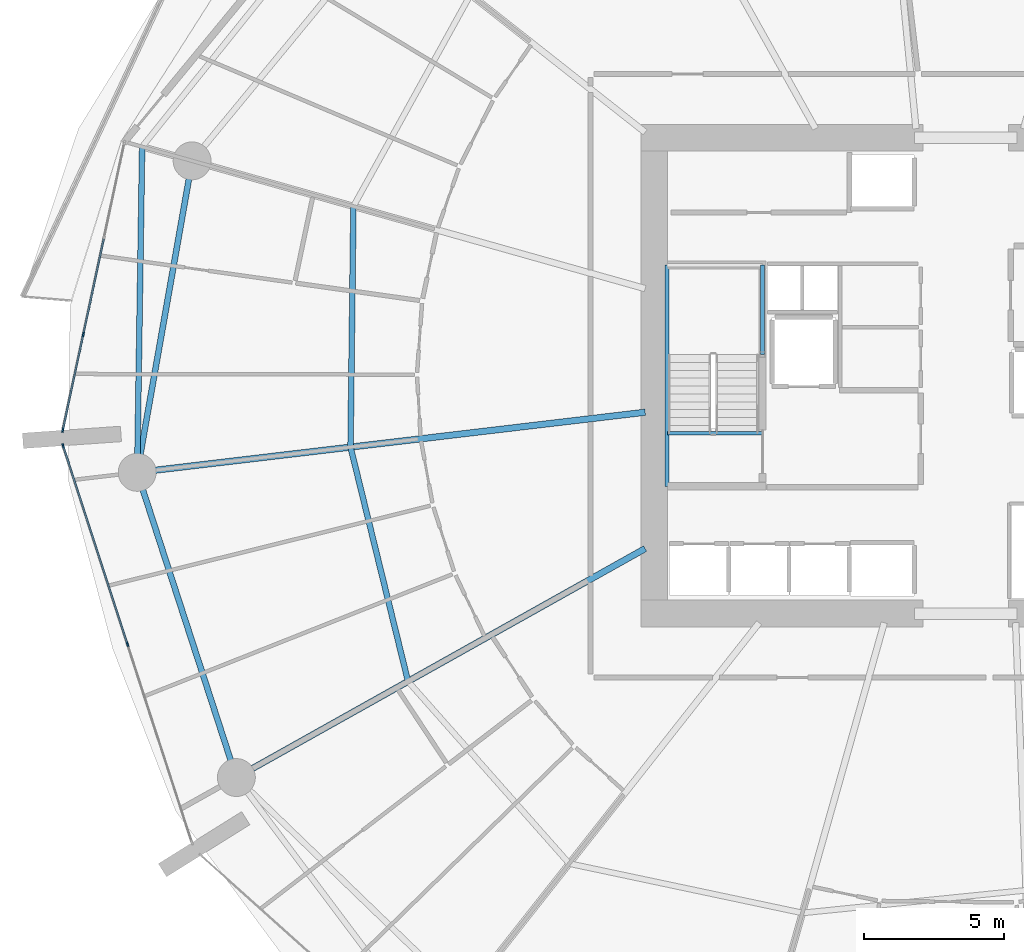
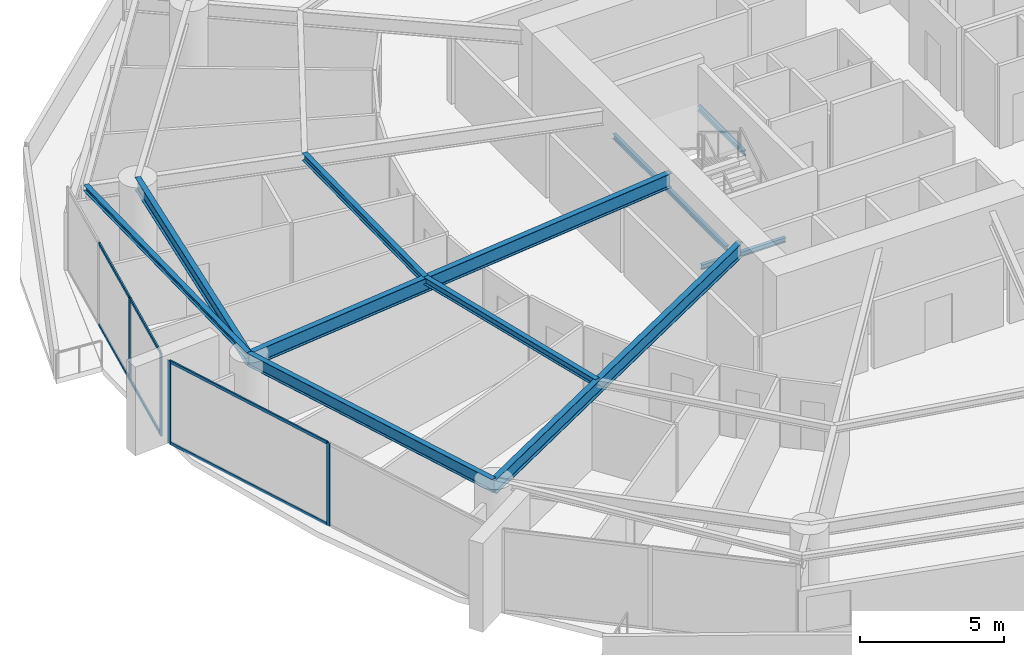
# One storey, part 8 of 31: 10 beams, 10 members, 2 elements without a shape of their own.
"""IFC4 building model written with IfcOpenShell, lengths in metres."""

from ifc_helpers import new_model, si_unit, direction, frame, origin, origin_2d, place, context, subcontext, project, spatial, rectangle, i_section, extrude, material, layer, layer_set, material_profile, profile_set, type_object, element, aggregate, save


model = new_model("IFC4")

# Units and contexts
model_context = context("Model", 3, precision=1e-05, world=origin(), true_north=direction((0.0, 1.0)))
body_context = subcontext(model_context, "Body", "Model", "MODEL_VIEW")
ifc_project = project(units=[si_unit("LENGTHUNIT", "METRE"), si_unit("AREAUNIT", "SQUARE_METRE"), si_unit("VOLUMEUNIT", "CUBIC_METRE"), si_unit("PLANEANGLEUNIT", "RADIAN"), si_unit("MASSUNIT", "GRAM", prefix="KILO")], contexts=[model_context])

# Site, building, storey
site_placement = place(None, origin())
site = spatial("IfcSite", under=ifc_project, at=site_placement, CompositionType="ELEMENT")
building_placement = place(site_placement, origin())
building = spatial("IfcBuilding", under=site, at=building_placement, Name="Kazma Halo Residences", CompositionType="ELEMENT")
storey_placement = place(building_placement, frame((0.0, 0.0, 60.14990234375)))
storey = spatial("IfcBuildingStorey", under=building, at=storey_placement, Name="L14", CompositionType="ELEMENT", Elevation=60.14990234375)

# Beams
ifc_material_1 = material(Name="Steel S355", Category="steel")
ifc_material_profile_1 = material_profile(ifc_material_1, i_section(OverallWidth=0.201904296875, OverallDepth=0.2470703125, WebThickness=0.00732421875, FlangeThickness=0.010986328125, FilletRadius=0.011962890625, at=origin_2d()), Name="W250x49.1")
ifc_profile_set_1 = profile_set([ifc_material_profile_1], Name="Steel S355")
beam_type_1 = type_object("IfcBeamType", Name="BM-BAL-CANT", PredefinedType="BEAM", material=ifc_profile_set_1)
beam_1_placement = place(storey_placement, frame((19.07861328125, 50.15673828125, 3.376708984375), z_axis=(-0.015213846033, -0.999884262747, 0.0), x_axis=(0.999884262747, -0.015213846033, 0.0)))
element("IfcBeam", 1, at=beam_1_placement, inside=storey, type_object=beam_type_1, Name="L14 wave-balcony tie beam 07", PredefinedType="BEAM", context=body_context, shape_type="SweptSolid", body=[
    extrude(i_section(OverallWidth=0.201904296875, OverallDepth=0.2470703125, WebThickness=0.00732421875, FlangeThickness=0.010986328125, FilletRadius=0.011962890625, at=origin_2d()), origin(), (0.0, 0.0, 1.0), 11.602294921875),
])
ifc_material_profile_2 = material_profile(ifc_material_1, i_section(OverallWidth=0.22802734375, OverallDepth=0.60791015625, WebThickness=0.01123046875, FlangeThickness=0.017333984375, FilletRadius=0.01806640625, at=origin_2d()), Name="W610x113")
ifc_profile_set_2 = profile_set([ifc_material_profile_2], Name="Steel S355")
beam_type_2 = type_object("IfcBeamType", Name="BM-RAD-W610", PredefinedType="BEAM", material=ifc_profile_set_2)
beam_2_placement = place(storey_placement, frame((37.0, 40.697998046875, 3.196044921875), z_axis=(-0.993068058728, -0.117540762013, 0.0), x_axis=(0.117540762013, -0.993068058728, 0.0)))
element("IfcBeam", 2, at=beam_2_placement, inside=storey, type_object=beam_type_2, Name="L14 radial floor beam 08", PredefinedType="BEAM", context=body_context, shape_type="SweptSolid", body=[
    extrude(i_section(OverallWidth=0.22802734375, OverallDepth=0.60791015625, WebThickness=0.01123046875, FlangeThickness=0.017333984375, FilletRadius=0.01806640625, at=origin_2d()), origin(), (0.0, 0.0, 1.0), 18.22412109375),
])
beam_3_placement = place(storey_placement, frame((37.0, 35.839599609375, 3.196044921875), z_axis=(-0.872496538947, -0.488620291767, 0.0), x_axis=(0.488620291767, -0.872496538947, 0.0)))
element("IfcBeam", 3, at=beam_3_placement, inside=storey, type_object=beam_type_2, Name="L14 radial floor beam 09", PredefinedType="BEAM", context=body_context, shape_type="SweptSolid", body=[
    extrude(i_section(OverallWidth=0.22802734375, OverallDepth=0.60791015625, WebThickness=0.01123046875, FlangeThickness=0.017333984375, FilletRadius=0.01806640625, at=origin_2d()), origin(), (0.0, 0.0, 1.0), 16.693359375),
])
ifc_material_profile_3 = material_profile(ifc_material_1, i_section(OverallWidth=0.202880859375, OverallDepth=0.302978515625, WebThickness=0.007568359375, FlangeThickness=0.01318359375, FilletRadius=0.013916015625, at=origin_2d()), Name="W310x60")
ifc_profile_set_3 = profile_set([ifc_material_profile_3], Name="Steel S355")
beam_type_3 = type_object("IfcBeamType", Name="BM-SEC-W310A", PredefinedType="JOIST", material=ifc_profile_set_3)
beam_4_placement = place(storey_placement, frame((26.605712890625, 48.033935546875, 3.3486328125), z_axis=(-0.011952697998, -0.999928563954, 0.0), x_axis=(0.999928563954, -0.011952697998, 0.0)))
element("IfcBeam", 4, at=beam_4_placement, inside=storey, type_object=beam_type_3, Name="L14 circumferential floor joist 07", PredefinedType="JOIST", context=body_context, shape_type="SweptSolid", body=[
    extrude(i_section(OverallWidth=0.202880859375, OverallDepth=0.302978515625, WebThickness=0.007568359375, FlangeThickness=0.01318359375, FilletRadius=0.013916015625, at=origin_2d()), origin(), (0.0, 0.0, 1.0), 8.578857421875),
])
beam_5_placement = place(storey_placement, frame((26.503173828125, 39.455810546875, 3.3486328125), z_axis=(0.238409585139, -0.971164697523, 0.0), x_axis=(0.971164697523, 0.238409585139, 0.0)))
element("IfcBeam", 5, at=beam_5_placement, inside=storey, type_object=beam_type_3, Name="L14 circumferential floor joist 08", PredefinedType="JOIST", context=body_context, shape_type="SweptSolid", body=[
    extrude(i_section(OverallWidth=0.202880859375, OverallDepth=0.302978515625, WebThickness=0.007568359375, FlangeThickness=0.01318359375, FilletRadius=0.013916015625, at=origin_2d()), origin(), (0.0, 0.0, 1.0), 8.5947265625),
])
ifc_material_profile_4 = material_profile(ifc_material_1, i_section(OverallWidth=0.208984375, OverallDepth=0.532958984375, WebThickness=0.01025390625, FlangeThickness=0.015625, FilletRadius=0.01611328125, at=origin_2d()), Name="W530x92")
ifc_profile_set_4 = profile_set([ifc_material_profile_4], Name="Steel S355")
beam_type_4 = type_object("IfcBeamType", Name="BM-SPN-W530", PredefinedType="BEAM", material=ifc_profile_set_4)
beam_6_placement = place(storey_placement, frame((20.859130859375, 49.654541015625, 3.233642578125), z_axis=(-0.173651864005, -0.984807103004, 0.0), x_axis=(0.984807103004, -0.173651864005, 0.0)))
element("IfcBeam", 6, at=beam_6_placement, inside=storey, type_object=beam_type_4, Name="L14 perimeter ring beam 07", PredefinedType="BEAM", context=body_context, shape_type="SweptSolid", body=[
    extrude(i_section(OverallWidth=0.208984375, OverallDepth=0.532958984375, WebThickness=0.01025390625, FlangeThickness=0.015625, FilletRadius=0.01611328125, at=origin_2d()), origin(), (0.0, 0.0, 1.0), 11.269775390625),
])
beam_7_placement = place(storey_placement, frame((18.902099609375, 38.555908203125, 3.233642578125), z_axis=(0.309024264898, -0.951054153928, 0.0), x_axis=(0.951054153928, 0.309024264898, 0.0)))
element("IfcBeam", 7, at=beam_7_placement, inside=storey, type_object=beam_type_4, Name="L14 perimeter ring beam 08", PredefinedType="BEAM", context=body_context, shape_type="SweptSolid", body=[
    extrude(i_section(OverallWidth=0.208984375, OverallDepth=0.532958984375, WebThickness=0.01025390625, FlangeThickness=0.015625, FilletRadius=0.01611328125, at=origin_2d()), origin(), (0.0, 0.0, 1.0), 11.4326171875),
])
ifc_material_profile_5 = material_profile(ifc_material_1, i_section(OverallWidth=0.133056640625, OverallDepth=0.20703125, WebThickness=0.005859375, FlangeThickness=0.00830078125, FilletRadius=0.010009765625, at=origin_2d()), Name="W200x26.6")
ifc_profile_set_5 = profile_set([ifc_material_profile_5], Name="Steel S355")
beam_type_5 = type_object("IfcBeamType", Name="BM-TRIM-W200", PredefinedType="BEAM", material=ifc_profile_set_5)
beam_8_placement = place(storey_placement, frame((37.800048828125, 39.949951171875, -0.35986328125), z_axis=(1.0, 0.0, 0.0), x_axis=(0.0, 1.0, 0.0)))
element("IfcBeam", 8, at=beam_8_placement, inside=storey, type_object=beam_type_5, Name="L14 ST-01 floor landing support beam", PredefinedType="BEAM", context=body_context, shape_type="SweptSolid", body=[
    extrude(i_section(OverallWidth=0.133056640625, OverallDepth=0.20703125, WebThickness=0.005859375, FlangeThickness=0.00830078125, FilletRadius=0.010009765625, at=origin_2d()), origin(), (0.0, 0.0, 1.0), 3.3798828125),
])
beam_9_placement = place(storey_placement, frame((37.780029296875, 38.06005859375, 1.570068359375), z_axis=(0.0, 1.0, 0.0), x_axis=(-1.0, 0.0, 0.0)))
element("IfcBeam", 9, at=beam_9_placement, inside=storey, type_object=beam_type_5, Name="L14 ST-01 landing west wall ledger", PredefinedType="BEAM", context=body_context, shape_type="SweptSolid", body=[
    extrude(i_section(OverallWidth=0.133056640625, OverallDepth=0.20703125, WebThickness=0.005859375, FlangeThickness=0.00830078125, FilletRadius=0.010009765625, at=origin_2d()), origin(), (0.0, 0.0, 1.0), 7.8798828125),
])
beam_10_placement = place(storey_placement, frame((41.179931640625, 42.75, 1.570068359375), z_axis=(0.0, 1.0, 0.0), x_axis=(-1.0, 0.0, 0.0)))
element("IfcBeam", 10, at=beam_10_placement, inside=storey, type_object=beam_type_5, Name="L14 ST-01 landing east wall ledger", PredefinedType="BEAM", context=body_context, shape_type="SweptSolid", body=[
    extrude(i_section(OverallWidth=0.133056640625, OverallDepth=0.20703125, WebThickness=0.005859375, FlangeThickness=0.00830078125, FilletRadius=0.010009765625, at=origin_2d()), origin(), (0.0, 0.0, 1.0), 3.18994140625),
])

# Curtain wall, members
ifc_material_2 = material(Name="Aluminium AW-6063 T6 and Triple-Silver Low-E Glass", Category="aluminium")
ifc_layer = layer(ifc_material_2, 0.159912109375)
ifc_layer_set = layer_set([ifc_layer], Name="Aluminium AW-6063 T6 and Triple-Silver Low-E Glass")
curtain_wall_type = type_object("IfcCurtainWallType", Name="CW-SYS-2", PredefinedType="NOTDEFINED", material=ifc_layer_set)
curtain_wall_1_placement = place(storey_placement, origin())
curtain_wall_1 = element("IfcCurtainWall", 11, at=curtain_wall_1_placement, inside=storey, type_object=curtain_wall_type, Name="L14 unitised curtain wall B07", PredefinedType="NOTDEFINED")
ifc_material_3 = material(Name="Aluminium AW-6063 T6", Category="aluminium")
ifc_material_profile_6 = material_profile(ifc_material_3, rectangle(XDim=0.06005859375, YDim=0.159912109375, at=origin_2d()), Name="CWM-60x160")
ifc_profile_set_6 = profile_set([ifc_material_profile_6], Name="Aluminium AW-6063 T6")
member_type_1 = type_object("IfcMemberType", Name="CW-SYS-2-MUL", PredefinedType="MULLION", material=ifc_profile_set_6)
member_1_placement = place(storey_placement, frame((16.980712890625, 43.46435546875, 0.0), z_axis=(0.0, 0.0, 1.0), x_axis=(0.977779215096, -0.209637321406, 0.0)))
member_1 = element("IfcMember", 12, at=member_1_placement, type_object=member_type_1, Name="CWS-2 mullion 3", PredefinedType="MULLION", context=body_context, shape_type="SweptSolid", body=[
    extrude(rectangle(XDim=0.06005859375, YDim=0.159912109375, at=origin_2d()), origin(), (0.0, 0.0, 1.0), 3.5),
])
member_2_placement = place(storey_placement, frame((16.25048828125, 40.059326171875, 0.0), z_axis=(0.0, 0.0, 1.0), x_axis=(0.977779215096, -0.209637321406, 0.0)))
member_2 = element("IfcMember", 13, at=member_2_placement, type_object=member_type_1, Name="CWS-2 mullion 4", PredefinedType="MULLION", context=body_context, shape_type="SweptSolid", body=[
    extrude(rectangle(XDim=0.06005859375, YDim=0.159912109375, at=origin_2d()), origin(), (0.0, 0.0, 1.0), 3.5),
])

curtain_wall_2_placement = place(storey_placement, origin())
curtain_wall_2 = element("IfcCurtainWall", 14, at=curtain_wall_2_placement, inside=storey, type_object=curtain_wall_type, Name="L14 unitised curtain wall B08", PredefinedType="NOTDEFINED")
member_3_placement = place(storey_placement, frame((16.26171875, 39.500732421875, 0.0), z_axis=(0.0, 0.0, 1.0), x_axis=(0.95105652404, 0.309016970539, 0.0)))
member_3 = element("IfcMember", 15, at=member_3_placement, type_object=member_type_1, Name="CWS-2 mullion 1", PredefinedType="MULLION", context=body_context, shape_type="SweptSolid", body=[
    extrude(rectangle(XDim=0.06005859375, YDim=0.159912109375, at=origin_2d()), origin(), (0.0, 0.0, 1.0), 3.5),
])
member_4_placement = place(storey_placement, frame((18.55810546875, 32.43359375, 0.0), z_axis=(0.0, 0.0, 1.0), x_axis=(0.95105652404, 0.309016970539, 0.0)))
member_4 = element("IfcMember", 16, at=member_4_placement, type_object=member_type_1, Name="CWS-2 mullion 2", PredefinedType="MULLION", context=body_context, shape_type="SweptSolid", body=[
    extrude(rectangle(XDim=0.06005859375, YDim=0.159912109375, at=origin_2d()), origin(), (0.0, 0.0, 1.0), 3.5),
])

# Member
ifc_material_profile_7 = material_profile(ifc_material_3, rectangle(XDim=0.06005859375, YDim=0.1201171875, at=origin_2d()), Name="CWT-60x120")
ifc_profile_set_7 = profile_set([ifc_material_profile_7], Name="Aluminium AW-6063 T6")
member_type_2 = type_object("IfcMemberType", Name="CW-SYS-2-TRN", PredefinedType="USERDEFINED", material=ifc_profile_set_7)
member_5_placement = place(storey_placement, frame((17.710693359375, 46.869384765625, 0.030029296875), z_axis=(-0.209669136217, -0.977772393412, 0.0), x_axis=(0.977772393412, -0.209669136217, 0.0)))
member_5 = element("IfcMember", 17, at=member_5_placement, type_object=member_type_2, Name="CWS-2 transom 2.1", ObjectType="TRANSOM", PredefinedType="USERDEFINED", context=body_context, shape_type="SweptSolid", body=[
    extrude(rectangle(XDim=0.06005859375, YDim=0.1201171875, at=origin_2d()), origin(), (0.0, 0.0, 1.0), 3.452392578125),
])

member_6_placement = place(storey_placement, frame((17.710693359375, 46.869384765625, 3.47021484375), z_axis=(-0.209669136217, -0.977772393412, 0.0), x_axis=(0.977772393412, -0.209669136217, 0.0)))
member_6 = element("IfcMember", 18, at=member_6_placement, type_object=member_type_2, Name="CWS-2 transom 2.2", ObjectType="TRANSOM", PredefinedType="USERDEFINED", context=body_context, shape_type="SweptSolid", body=[
    extrude(rectangle(XDim=0.06005859375, YDim=0.1201171875, at=origin_2d()), origin(), (0.0, 0.0, 1.0), 3.452392578125),
])

member_7_placement = place(storey_placement, frame((16.974365234375, 43.434814453125, 0.030029296875), z_axis=(-0.209665500897, -0.977773172946, 0.0), x_axis=(0.977773172946, -0.209665500897, 0.0)))
member_7 = element("IfcMember", 19, at=member_7_placement, type_object=member_type_2, Name="CWS-2 transom 3.1", ObjectType="TRANSOM", PredefinedType="USERDEFINED", context=body_context, shape_type="SweptSolid", body=[
    extrude(rectangle(XDim=0.06005859375, YDim=0.1201171875, at=origin_2d()), origin(), (0.0, 0.0, 1.0), 3.42236328125),
])

member_8_placement = place(storey_placement, frame((16.974365234375, 43.434814453125, 3.47021484375), z_axis=(-0.209665500897, -0.977773172946, 0.0), x_axis=(0.977773172946, -0.209665500897, 0.0)))
member_8 = element("IfcMember", 20, at=member_8_placement, type_object=member_type_2, Name="CWS-2 transom 3.2", ObjectType="TRANSOM", PredefinedType="USERDEFINED", context=body_context, shape_type="SweptSolid", body=[
    extrude(rectangle(XDim=0.06005859375, YDim=0.1201171875, at=origin_2d()), origin(), (0.0, 0.0, 1.0), 3.42236328125),
])

aggregate(curtain_wall_1, [member_1, member_2, member_5, member_6, member_7, member_8])

member_9_placement = place(storey_placement, frame((16.27099609375, 39.47216796875, 0.030029296875), z_axis=(0.309034393795, -0.951050862705, 0.0), x_axis=(0.951050862705, 0.309034393795, 0.0)))
member_9 = element("IfcMember", 21, at=member_9_placement, type_object=member_type_2, Name="CWS-2 transom 1.1", ObjectType="TRANSOM", PredefinedType="USERDEFINED", context=body_context, shape_type="SweptSolid", body=[
    extrude(rectangle(XDim=0.06005859375, YDim=0.1201171875, at=origin_2d()), origin(), (0.0, 0.0, 1.0), 7.370849609375),
])

member_10_placement = place(storey_placement, frame((16.27099609375, 39.47216796875, 3.47021484375), z_axis=(0.309034393795, -0.951050862705, 0.0), x_axis=(0.951050862705, 0.309034393795, 0.0)))
member_10 = element("IfcMember", 22, at=member_10_placement, type_object=member_type_2, Name="CWS-2 transom 1.2", ObjectType="TRANSOM", PredefinedType="USERDEFINED", context=body_context, shape_type="SweptSolid", body=[
    extrude(rectangle(XDim=0.06005859375, YDim=0.1201171875, at=origin_2d()), origin(), (0.0, 0.0, 1.0), 7.370849609375),
])

aggregate(curtain_wall_2, [member_3, member_4, member_9, member_10])

save(model, "model.ifc")
